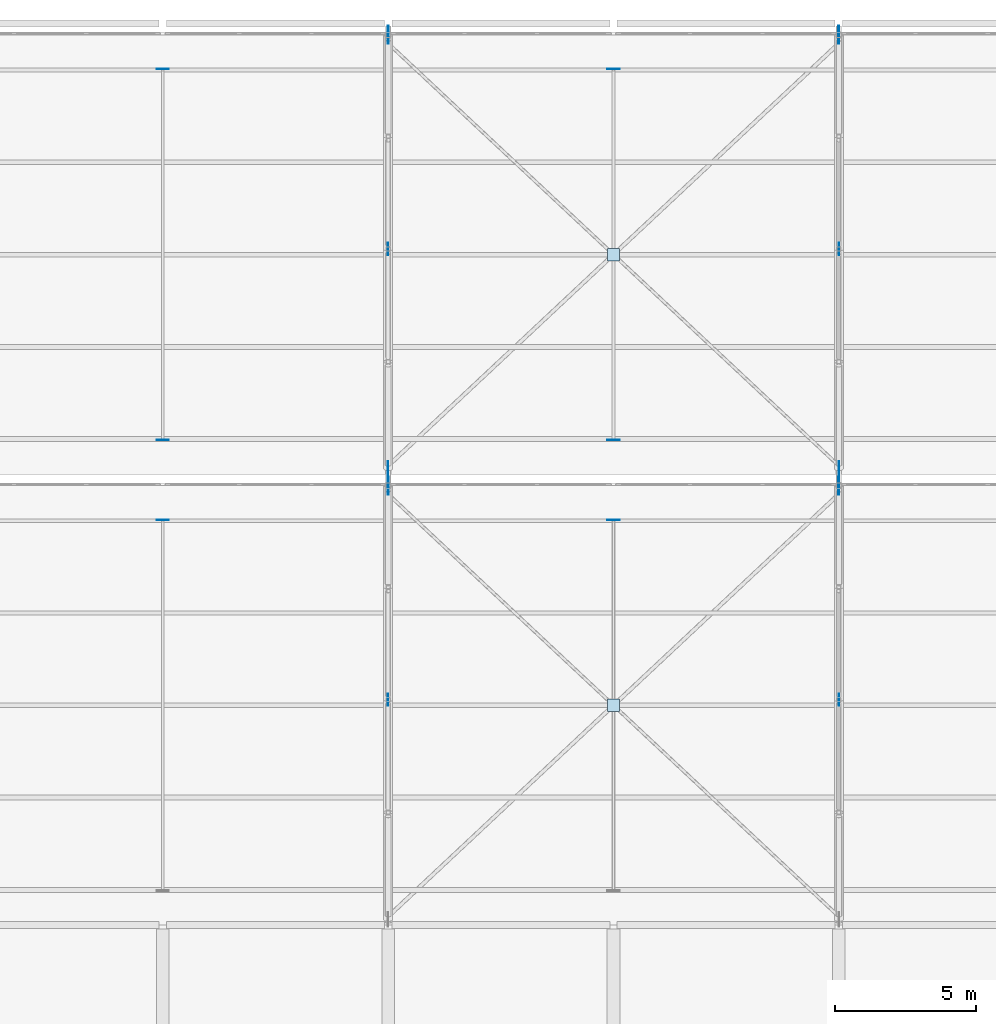
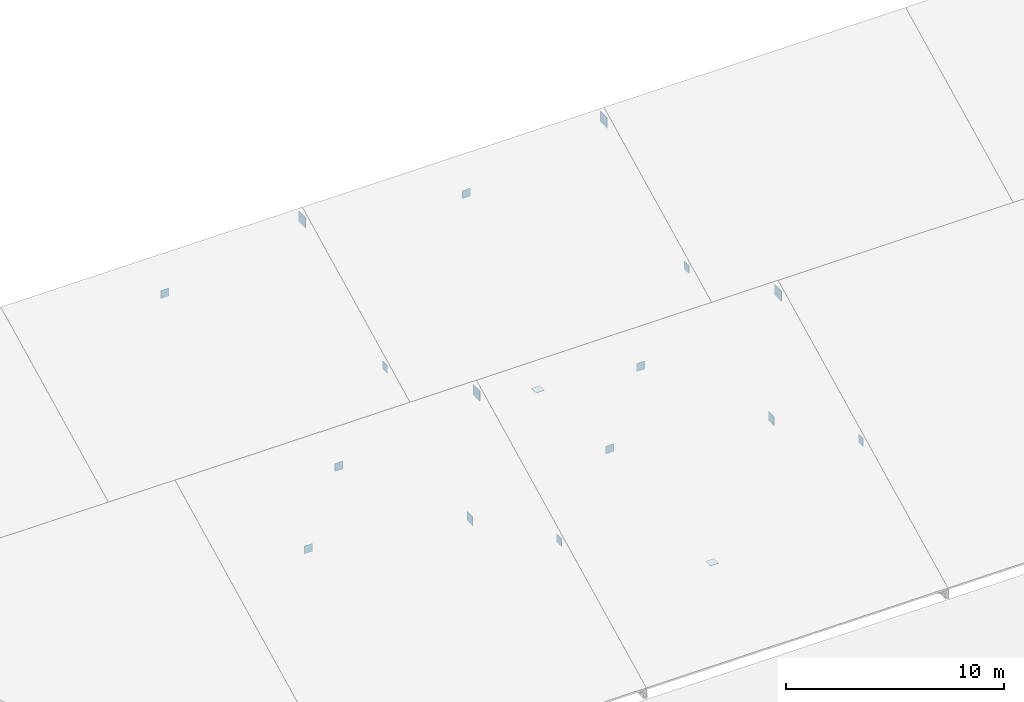
# One storey, part 106 of 137: 18 plates.
"""IFC4 building model written with IfcOpenShell, lengths in metres."""

from ifc_helpers import new_model, si_unit, direction, frame, origin, origin_2d, place, context, subcontext, project, spatial, rectangle, extrude, material, layer, layer_set, type_object, element, save


model = new_model("IFC4")

# Units and contexts
model_context = context("Model", 3, precision=1e-05, world=origin(), true_north=direction((0.0, 1.0)))
body_context = subcontext(model_context, "Body", "Model", "MODEL_VIEW")
ifc_project = project(units=[si_unit("LENGTHUNIT", "METRE"), si_unit("AREAUNIT", "SQUARE_METRE"), si_unit("VOLUMEUNIT", "CUBIC_METRE"), si_unit("PLANEANGLEUNIT", "RADIAN"), si_unit("MASSUNIT", "GRAM", prefix="KILO")], contexts=[model_context])

# Site, building, storey
site_placement = place(None, origin())
site = spatial("IfcSite", under=ifc_project, at=site_placement, CompositionType="ELEMENT")
building_placement = place(site_placement, origin())
building = spatial("IfcBuilding", under=site, at=building_placement, Name="Jelvoka-Kovrelna Polytechnic", CompositionType="ELEMENT")
storey_placement = place(building_placement, frame((0.0, 0.0, 9.60009765625)))
storey = spatial("IfcBuildingStorey", under=building, at=storey_placement, Name="L03", CompositionType="ELEMENT", Elevation=9.60009765625)

# Plates
ifc_material_1 = material(Name="Structural steel S355JR", Category="steel")
ifc_layer_1 = layer(ifc_material_1, 0.02392578125)
ifc_layer_set_1 = layer_set([ifc_layer_1], Name="Structural steel S355JR")
plate_type_1 = type_object("IfcPlateType", Name="Plate_Gusset_GP1", PredefinedType="SHEET", material=ifc_layer_set_1)
for number, where, z_axis, x_axis, name in (
    (1, (152.0, 104.199951171875, 0.056396484375), (0.0, 0.0, 1.0), (0.0, 1.0, 0.0), "Sawtooth truss 5 steel gusset node plate 028"),
    (2, (168.0, 104.199951171875, 0.056396484375), (0.0, 0.0, 1.0), (0.0, 1.0, 0.0), "Sawtooth truss 6 steel gusset node plate 034"),
):
    element("IfcPlate", number, at=place(storey_placement, frame(where, z_axis=z_axis, x_axis=x_axis)), inside=storey, type_object=plate_type_1, Name=name, PredefinedType="SHEET", context=body_context, shape_type="SweptSolid", body=[
        extrude(rectangle(XDim=0.52001953125, YDim=0.02392578125, at=origin_2d()), origin(), (0.0, 0.0, 1.0), 0.52001953125),
    ])
ifc_material_2 = material(Name="Structural steel S355JR", Category="steel")
ifc_layer_2 = layer(ifc_material_2, 0.028076171875)
ifc_layer_set_2 = layer_set([ifc_layer_2], Name="Structural steel S355JR")
plate_type_2 = type_object("IfcPlateType", Name="Plate_Gusset_GP2", PredefinedType="SHEET", material=ifc_layer_set_2)
for number, where, z_axis, x_axis, name in (
    (3, (152.0, 103.60009765625, 7.449951171875), (0.0, 0.0, 1.0), (0.0, 1.0, 0.0), "Sawtooth truss 5 steel gusset node plate 027"),
    (4, (152.0, 119.60009765625, 7.449951171875), (0.0, 0.0, 1.0), (0.0, 1.0, 0.0), "Sawtooth truss 5 steel gusset node plate 030"),
    (5, (168.0, 103.60009765625, 7.449951171875), (0.0, 0.0, 1.0), (0.0, 1.0, 0.0), "Sawtooth truss 6 steel gusset node plate 033"),
    (6, (168.0, 119.60009765625, 7.449951171875), (0.0, 0.0, 1.0), (0.0, 1.0, 0.0), "Sawtooth truss 6 steel gusset node plate 036"),
):
    element("IfcPlate", number, at=place(storey_placement, frame(where, z_axis=z_axis, x_axis=x_axis)), inside=storey, type_object=plate_type_2, Name=name, PredefinedType="SHEET", context=body_context, shape_type="SweptSolid", body=[
        extrude(rectangle(XDim=0.639892578125, YDim=0.028076171875, at=origin_2d()), origin(), (0.0, 0.0, 1.0), 0.580078125),
    ])
ifc_material_3 = material(Name="Structural steel S355JR", Category="steel")
ifc_layer_3 = layer(ifc_material_3, 0.02001953125)
ifc_layer_set_3 = layer_set([ifc_layer_3], Name="Structural steel S355JR")
plate_type_3 = type_object("IfcPlateType", Name="Plate_Gusset_GP3", PredefinedType="SHEET", material=ifc_layer_set_3)
for number, where, z_axis, x_axis, name in (
    (7, (152.0, 96.0, 3.8564453125), (0.0, 0.0, 1.0), (0.0, 1.0, 0.0), "Sawtooth truss 5 steel gusset node plate 026"),
    (8, (152.0, 112.0, 3.8564453125), (0.0, 0.0, 1.0), (0.0, 1.0, 0.0), "Sawtooth truss 5 steel gusset node plate 029"),
    (9, (168.0, 96.0, 3.8564453125), (0.0, 0.0, 1.0), (0.0, 1.0, 0.0), "Sawtooth truss 6 steel gusset node plate 032"),
    (10, (168.0, 112.0, 3.8564453125), (0.0, 0.0, 1.0), (0.0, 1.0, 0.0), "Sawtooth truss 6 steel gusset node plate 035"),
    (11, (144.0, 102.382080078125, 6.933349609375), (0.0, 0.0, 1.0), (1.0, 0.0, 0.0), "Sawtooth rafter 4.1 top steel end cap plate 066"),
    (12, (144.0, 105.218017578125, 0.58642578125), (0.0, 0.0, 1.0), (1.0, 0.0, 0.0), "Sawtooth rafter 4.2 bot steel end cap plate 067"),
    (13, (144.0, 118.382080078125, 6.933349609375), (0.0, 0.0, 1.0), (1.0, 0.0, 0.0), "Sawtooth rafter 4.2 top steel end cap plate 068"),
    (14, (160.0, 102.382080078125, 6.933349609375), (0.0, 0.0, 1.0), (1.0, 0.0, 0.0), "Sawtooth rafter 5.1 top steel end cap plate 070"),
):
    element("IfcPlate", number, at=place(storey_placement, frame(where, z_axis=z_axis, x_axis=x_axis)), inside=storey, type_object=plate_type_3, Name=name, PredefinedType="SHEET", context=body_context, shape_type="SweptSolid", body=[
        extrude(rectangle(XDim=0.43994140625, YDim=0.02001953125, at=origin_2d()), origin(), (0.0, 0.0, 1.0), 0.43994140625),
    ])
plate_1_placement = place(storey_placement, frame((160.0, 95.800048828125, 0.139892578125), z_axis=(0.0, 0.0, 1.0), x_axis=(1.0, 0.0, 0.0)))
element("IfcPlate", 15, at=plate_1_placement, inside=storey, type_object=plate_type_3, Name="Sawtooth roof X-brace crossing gusset plate 0071", PredefinedType="SHEET", context=body_context, shape_type="SweptSolid", body=[
    extrude(rectangle(XDim=0.43994140625, YDim=0.43994140625, at=origin_2d()), origin(), (0.0, 0.0, 1.0), 0.02001953125),
])
for number, where, z_axis, x_axis, name in (
    (16, (160.0, 105.218017578125, 0.58642578125), (0.0, 0.0, 1.0), (1.0, 0.0, 0.0), "Sawtooth rafter 5.2 bot steel end cap plate 072"),
    (17, (160.0, 118.382080078125, 6.933349609375), (0.0, 0.0, 1.0), (1.0, 0.0, 0.0), "Sawtooth rafter 5.2 top steel end cap plate 073"),
):
    element("IfcPlate", number, at=place(storey_placement, frame(where, z_axis=z_axis, x_axis=x_axis)), inside=storey, type_object=plate_type_3, Name=name, PredefinedType="SHEET", context=body_context, shape_type="SweptSolid", body=[
        extrude(rectangle(XDim=0.43994140625, YDim=0.02001953125, at=origin_2d()), origin(), (0.0, 0.0, 1.0), 0.43994140625),
    ])
plate_2_placement = place(storey_placement, frame((160.0, 111.800048828125, 0.139892578125), z_axis=(0.0, 0.0, 1.0), x_axis=(1.0, 0.0, 0.0)))
element("IfcPlate", 18, at=plate_2_placement, inside=storey, type_object=plate_type_3, Name="Sawtooth roof X-brace crossing gusset plate 0074", PredefinedType="SHEET", context=body_context, shape_type="SweptSolid", body=[
    extrude(rectangle(XDim=0.43994140625, YDim=0.43994140625, at=origin_2d()), origin(), (0.0, 0.0, 1.0), 0.02001953125),
])

save(model, "model.ifc")
